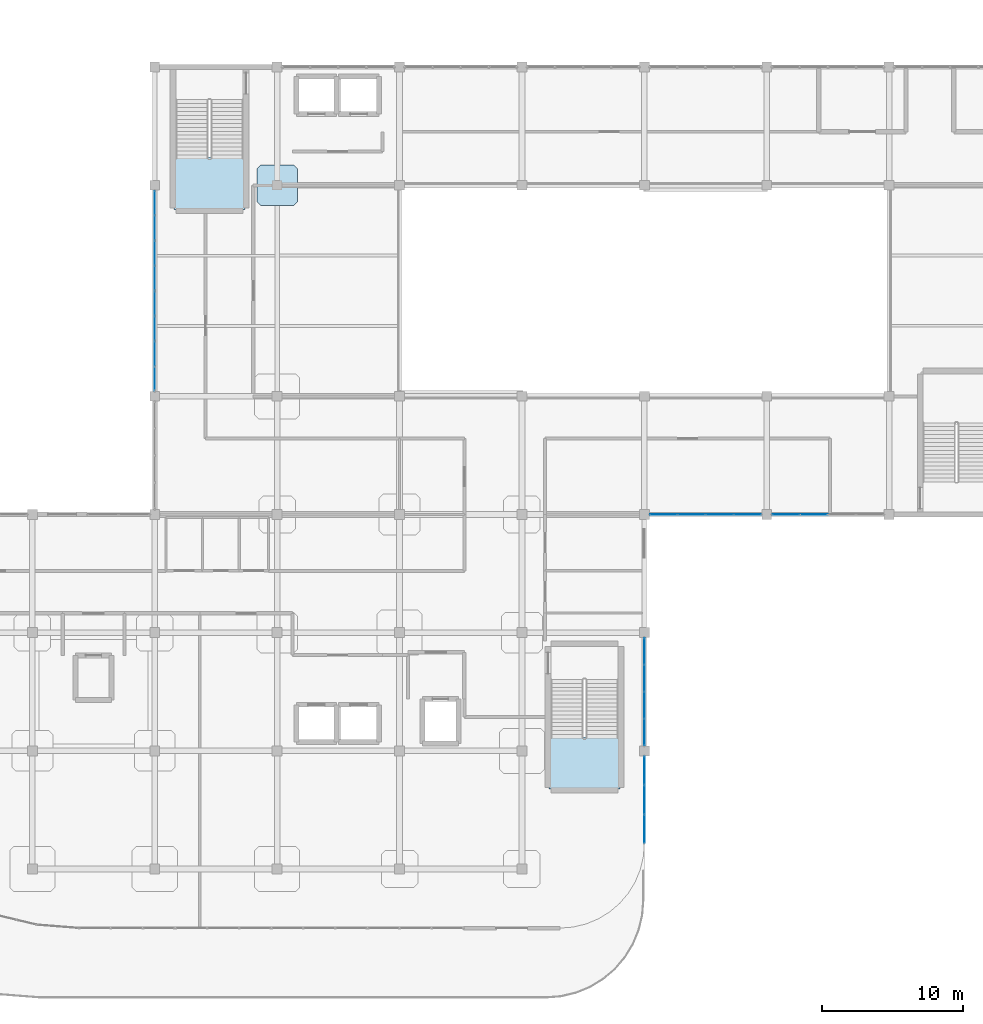
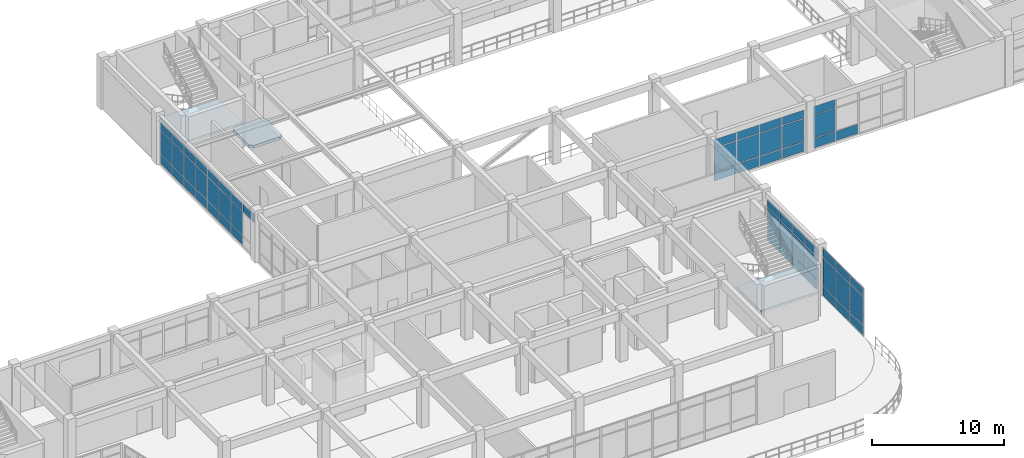
# One storey, part 54 of 76: 59 plates, 3 slabs, 8 elements without a shape of their own.
"""IFC4 building model written with IfcOpenShell, lengths in metres."""

from ifc_helpers import new_model, si_unit, derived_unit, direction, frame, origin, origin_2d, place, context, subcontext, project, spatial, polyline, rectangle, outline, extrude, material, layer, layer_set, type_object, element, aggregate, save


model = new_model("IFC4")

# Units and contexts
model_context = context("Model", 3, precision=1e-05, world=origin(), true_north=direction((0.0, 1.0)))
body_context = subcontext(model_context, "Body", "Model", "MODEL_VIEW")
ifc_project = project(units=[si_unit("LENGTHUNIT", "METRE"), si_unit("AREAUNIT", "SQUARE_METRE"), si_unit("VOLUMEUNIT", "CUBIC_METRE"), si_unit("PLANEANGLEUNIT", "RADIAN"), si_unit("MASSUNIT", "GRAM", prefix="KILO"), derived_unit("THERMALTRANSMITTANCEUNIT", [(si_unit("MASSUNIT", "GRAM", prefix="KILO"), 1), (si_unit("TIMEUNIT", "SECOND"), -3), (si_unit("THERMODYNAMICTEMPERATUREUNIT", "KELVIN"), -1)])], contexts=[model_context])

# Site, building, storey
site_placement = place(None, origin())
site = spatial("IfcSite", under=ifc_project, at=site_placement, CompositionType="ELEMENT")
building_placement = place(site_placement, origin())
building = spatial("IfcBuilding", under=site, at=building_placement, Name="Qinzheling Arcade Emporium", CompositionType="ELEMENT")
storey_placement = place(building_placement, frame((0.0, 0.0, 26.699951171875)))
storey = spatial("IfcBuildingStorey", under=building, at=storey_placement, Name="L06", CompositionType="ELEMENT", Elevation=26.699951171875)

# Slab
ifc_material_1 = material(Name="Concrete C40", Category="concrete")
ifc_layer_1 = layer(ifc_material_1, 0.27001953125, Name="Concrete C40", Category="concrete")
ifc_layer_set_1 = layer_set([ifc_layer_1], Name="Concrete C40")
slab_type_1 = type_object("IfcSlabType", Name="Column Head Drop Panel 2900x2900x270 C40", PredefinedType="USERDEFINED", material=ifc_layer_set_1)
slab_1_placement = place(storey_placement, frame((0.0, 0.0, -0.550048828125)))
element("IfcSlab", 1, at=slab_1_placement, inside=storey, type_object=slab_type_1, Name="Column Drop Panel DP-L06-6-H", ObjectType="DROP_PANEL", PredefinedType="USERDEFINED", context=body_context, shape_type="SweptSolid", body=[
    extrude(outline(polyline([(42.330078125, 63.949951171875), (44.669921875, 63.949951171875), (44.949951171875, 64.22998046875), (44.949951171875, 66.570068359375), (44.669921875, 66.85009765625), (42.330078125, 66.85009765625), (42.050048828125, 66.570068359375), (42.050048828125, 64.22998046875), (42.330078125, 63.949951171875)])), origin(), (0.0, 0.0, 1.0), 0.27001953125),
])

# Curtain wall, plates
ifc_material_2 = material(Name="Anodised aluminium and solar-control double glazing", Category="aluminium")
ifc_layer_2 = layer(ifc_material_2, 0.159912109375, Name="Anodised aluminium and solar-control double glazing", Category="aluminium")
ifc_layer_set_2 = layer_set([ifc_layer_2], Name="Anodised aluminium and solar-control double glazing")
curtain_wall_type_1 = type_object("IfcCurtainWallType", Name="Atrium Clerestory Curtain Wall", PredefinedType="NOTDEFINED", material=ifc_layer_set_2)
curtain_wall_1_placement = place(storey_placement, origin())
curtain_wall_1 = element("IfcCurtainWall", 2, at=curtain_wall_1_placement, inside=storey, type_object=curtain_wall_type_1, Name="Curtain Wall CW-L06-379", PredefinedType="NOTDEFINED")
ifc_material_3 = material(Name="Laminated solar-control double glazing", Category="glass")
ifc_layer_3 = layer(ifc_material_3, 0.02099609375, Name="Laminated solar-control double glazing", Category="glass")
ifc_layer_set_3 = layer_set([ifc_layer_3], Name="Laminated solar-control double glazing")
plate_type_1 = type_object("IfcPlateType", Name="Low-E Double Glazed Curtain Panel 21mm", PredefinedType="CURTAIN_PANEL", material=ifc_layer_set_3)
plate_1_placement = place(storey_placement, frame((76.93359375, 42.0, 0.06005859375), z_axis=(0.0, 0.0, 1.0), x_axis=(-1.0, 0.0, 0.0)))
plate_1 = element("IfcPlate", 3, at=plate_1_placement, type_object=plate_type_1, Name="CW03 panel 1.1", PredefinedType="CURTAIN_PANEL", context=body_context, shape_type="SweptSolid", body=[
    extrude(rectangle(XDim=1.908935546875, YDim=0.02099609375, at=origin_2d()), origin(), (0.0, 0.0, 1.0), 0.860107421875),
])
plate_2_placement = place(storey_placement, frame((76.93359375, 42.0, 0.97998046875), z_axis=(0.0, 0.0, 1.0), x_axis=(-1.0, 0.0, 0.0)))
plate_2 = element("IfcPlate", 4, at=plate_2_placement, type_object=plate_type_1, Name="CW03 panel 1.2", PredefinedType="CURTAIN_PANEL", context=body_context, shape_type="SweptSolid", body=[
    extrude(rectangle(XDim=1.908935546875, YDim=0.02099609375, at=origin_2d()), origin(), (0.0, 0.0, 1.0), 2.094970703125),
])
plate_3_placement = place(storey_placement, frame((76.93359375, 42.0, 3.13525390625), z_axis=(0.0, 0.0, 1.0), x_axis=(-1.0, 0.0, 0.0)))
plate_3 = element("IfcPlate", 5, at=plate_3_placement, type_object=plate_type_1, Name="CW03 panel 1.3", PredefinedType="CURTAIN_PANEL", context=body_context, shape_type="SweptSolid", body=[
    extrude(rectangle(XDim=1.908935546875, YDim=0.02099609375, at=origin_2d()), origin(), (0.0, 0.0, 1.0), 0.760009765625),
])
plate_4_placement = place(storey_placement, frame((74.949462890625, 42.0, 0.06005859375), z_axis=(0.0, 0.0, 1.0), x_axis=(-1.0, 0.0, 0.0)))
plate_4 = element("IfcPlate", 6, at=plate_4_placement, type_object=plate_type_1, Name="CW03 panel 2.1", PredefinedType="CURTAIN_PANEL", context=body_context, shape_type="SweptSolid", body=[
    extrude(rectangle(XDim=1.93896484375, YDim=0.02099609375, at=origin_2d()), origin(), (0.0, 0.0, 1.0), 0.860107421875),
])
plate_5_placement = place(storey_placement, frame((74.949462890625, 42.0, 0.97998046875), z_axis=(0.0, 0.0, 1.0), x_axis=(-1.0, 0.0, 0.0)))
plate_5 = element("IfcPlate", 7, at=plate_5_placement, type_object=plate_type_1, Name="CW03 panel 2.2", PredefinedType="CURTAIN_PANEL", context=body_context, shape_type="SweptSolid", body=[
    extrude(rectangle(XDim=1.93896484375, YDim=0.02099609375, at=origin_2d()), origin(), (0.0, 0.0, 1.0), 2.094970703125),
])
plate_6_placement = place(storey_placement, frame((74.949462890625, 42.0, 3.13525390625), z_axis=(0.0, 0.0, 1.0), x_axis=(-1.0, 0.0, 0.0)))
plate_6 = element("IfcPlate", 8, at=plate_6_placement, type_object=plate_type_1, Name="CW03 panel 2.3", PredefinedType="CURTAIN_PANEL", context=body_context, shape_type="SweptSolid", body=[
    extrude(rectangle(XDim=1.93896484375, YDim=0.02099609375, at=origin_2d()), origin(), (0.0, 0.0, 1.0), 0.760009765625),
])
plate_7_placement = place(storey_placement, frame((72.950439453125, 42.0, 0.06005859375), z_axis=(0.0, 0.0, 1.0), x_axis=(-1.0, 0.0, 0.0)))
plate_7 = element("IfcPlate", 9, at=plate_7_placement, type_object=plate_type_1, Name="CW03 panel 3.1", PredefinedType="CURTAIN_PANEL", context=body_context, shape_type="SweptSolid", body=[
    extrude(rectangle(XDim=1.93896484375, YDim=0.02099609375, at=origin_2d()), origin(), (0.0, 0.0, 1.0), 0.860107421875),
])
plate_8_placement = place(storey_placement, frame((72.950439453125, 42.0, 0.97998046875), z_axis=(0.0, 0.0, 1.0), x_axis=(-1.0, 0.0, 0.0)))
plate_8 = element("IfcPlate", 10, at=plate_8_placement, type_object=plate_type_1, Name="CW03 panel 3.2", PredefinedType="CURTAIN_PANEL", context=body_context, shape_type="SweptSolid", body=[
    extrude(rectangle(XDim=1.93896484375, YDim=0.02099609375, at=origin_2d()), origin(), (0.0, 0.0, 1.0), 2.094970703125),
])
plate_9_placement = place(storey_placement, frame((72.950439453125, 42.0, 3.13525390625), z_axis=(0.0, 0.0, 1.0), x_axis=(-1.0, 0.0, 0.0)))
plate_9 = element("IfcPlate", 11, at=plate_9_placement, type_object=plate_type_1, Name="CW03 panel 3.3", PredefinedType="CURTAIN_PANEL", context=body_context, shape_type="SweptSolid", body=[
    extrude(rectangle(XDim=1.93896484375, YDim=0.02099609375, at=origin_2d()), origin(), (0.0, 0.0, 1.0), 0.760009765625),
])
plate_10_placement = place(storey_placement, frame((70.966552734375, 42.0, 0.06005859375), z_axis=(0.0, 0.0, 1.0), x_axis=(-1.0, 0.0, 0.0)))
plate_10 = element("IfcPlate", 12, at=plate_10_placement, type_object=plate_type_1, Name="CW03 panel 4.1", PredefinedType="CURTAIN_PANEL", context=body_context, shape_type="SweptSolid", body=[
    extrude(rectangle(XDim=1.908935546875, YDim=0.02099609375, at=origin_2d()), origin(), (0.0, 0.0, 1.0), 0.860107421875),
])
plate_11_placement = place(storey_placement, frame((70.966552734375, 42.0, 0.97998046875), z_axis=(0.0, 0.0, 1.0), x_axis=(-1.0, 0.0, 0.0)))
plate_11 = element("IfcPlate", 13, at=plate_11_placement, type_object=plate_type_1, Name="CW03 panel 4.2", PredefinedType="CURTAIN_PANEL", context=body_context, shape_type="SweptSolid", body=[
    extrude(rectangle(XDim=1.908935546875, YDim=0.02099609375, at=origin_2d()), origin(), (0.0, 0.0, 1.0), 2.094970703125),
])
plate_12_placement = place(storey_placement, frame((70.966552734375, 42.0, 3.13525390625), z_axis=(0.0, 0.0, 1.0), x_axis=(-1.0, 0.0, 0.0)))
plate_12 = element("IfcPlate", 14, at=plate_12_placement, type_object=plate_type_1, Name="CW03 panel 4.3", PredefinedType="CURTAIN_PANEL", context=body_context, shape_type="SweptSolid", body=[
    extrude(rectangle(XDim=1.908935546875, YDim=0.02099609375, at=origin_2d()), origin(), (0.0, 0.0, 1.0), 0.760009765625),
])
aggregate(curtain_wall_1, [plate_1, plate_2, plate_3, plate_4, plate_5, plate_6, plate_7, plate_8, plate_9, plate_10, plate_11, plate_12])

curtain_wall_2_placement = place(storey_placement, origin())
curtain_wall_2 = element("IfcCurtainWall", 15, at=curtain_wall_2_placement, inside=storey, type_object=curtain_wall_type_1, Name="Curtain Wall CW-L06-364", PredefinedType="NOTDEFINED")
ifc_layer_4 = layer(ifc_material_3, 0.02197265625, Name="Laminated solar-control double glazing", Category="glass")
ifc_layer_set_4 = layer_set([ifc_layer_4], Name="Laminated solar-control double glazing")
plate_type_2 = type_object("IfcPlateType", Name="Low-E Double Glazed Curtain Panel 22mm", PredefinedType="CURTAIN_PANEL", material=ifc_layer_set_4)
plate_13_placement = place(storey_placement, frame((34.800048828125, 51.66015625, 3.197265625), z_axis=(0.0, 0.0, 1.0), x_axis=(0.0, 1.0, 0.0)))
plate_13 = element("IfcPlate", 16, at=plate_13_placement, type_object=plate_type_2, Name="CW03 panel 1.3", PredefinedType="CURTAIN_PANEL", context=body_context, shape_type="SweptSolid", body=[
    extrude(rectangle(XDim=1.696533203125, YDim=0.02197265625, at=origin_2d()), origin(), (0.0, 0.0, 1.0), 0.760009765625),
])
plate_14_placement = place(storey_placement, frame((34.800048828125, 53.431640625, 0.06005859375), z_axis=(0.0, 0.0, 1.0), x_axis=(0.0, 1.0, 0.0)))
plate_14 = element("IfcPlate", 17, at=plate_14_placement, type_object=plate_type_2, Name="CW03 panel 2.1", PredefinedType="CURTAIN_PANEL", context=body_context, shape_type="SweptSolid", body=[
    extrude(rectangle(XDim=1.7265625, YDim=0.02197265625, at=origin_2d()), origin(), (0.0, 0.0, 1.0), 0.860107421875),
])
plate_15_placement = place(storey_placement, frame((34.800048828125, 53.431640625, 0.97998046875), z_axis=(0.0, 0.0, 1.0), x_axis=(0.0, 1.0, 0.0)))
plate_15 = element("IfcPlate", 18, at=plate_15_placement, type_object=plate_type_2, Name="CW03 panel 2.2", PredefinedType="CURTAIN_PANEL", context=body_context, shape_type="SweptSolid", body=[
    extrude(rectangle(XDim=1.7265625, YDim=0.02197265625, at=origin_2d()), origin(), (0.0, 0.0, 1.0), 2.156982421875),
])
plate_16_placement = place(storey_placement, frame((34.800048828125, 53.431640625, 3.197265625), z_axis=(0.0, 0.0, 1.0), x_axis=(0.0, 1.0, 0.0)))
plate_16 = element("IfcPlate", 19, at=plate_16_placement, type_object=plate_type_2, Name="CW03 panel 2.3", PredefinedType="CURTAIN_PANEL", context=body_context, shape_type="SweptSolid", body=[
    extrude(rectangle(XDim=1.7265625, YDim=0.02197265625, at=origin_2d()), origin(), (0.0, 0.0, 1.0), 0.760009765625),
])
plate_17_placement = place(storey_placement, frame((34.800048828125, 55.21826171875, 0.06005859375), z_axis=(0.0, 0.0, 1.0), x_axis=(0.0, 1.0, 0.0)))
plate_17 = element("IfcPlate", 20, at=plate_17_placement, type_object=plate_type_2, Name="CW03 panel 3.1", PredefinedType="CURTAIN_PANEL", context=body_context, shape_type="SweptSolid", body=[
    extrude(rectangle(XDim=1.7265625, YDim=0.02197265625, at=origin_2d()), origin(), (0.0, 0.0, 1.0), 0.860107421875),
])
plate_18_placement = place(storey_placement, frame((34.800048828125, 55.21826171875, 0.97998046875), z_axis=(0.0, 0.0, 1.0), x_axis=(0.0, 1.0, 0.0)))
plate_18 = element("IfcPlate", 21, at=plate_18_placement, type_object=plate_type_2, Name="CW03 panel 3.2", PredefinedType="CURTAIN_PANEL", context=body_context, shape_type="SweptSolid", body=[
    extrude(rectangle(XDim=1.7265625, YDim=0.02197265625, at=origin_2d()), origin(), (0.0, 0.0, 1.0), 2.156982421875),
])
plate_19_placement = place(storey_placement, frame((34.800048828125, 55.21826171875, 3.197265625), z_axis=(0.0, 0.0, 1.0), x_axis=(0.0, 1.0, 0.0)))
plate_19 = element("IfcPlate", 22, at=plate_19_placement, type_object=plate_type_2, Name="CW03 panel 3.3", PredefinedType="CURTAIN_PANEL", context=body_context, shape_type="SweptSolid", body=[
    extrude(rectangle(XDim=1.7265625, YDim=0.02197265625, at=origin_2d()), origin(), (0.0, 0.0, 1.0), 0.760009765625),
])
plate_20_placement = place(storey_placement, frame((34.800048828125, 56.98974609375, 0.06005859375), z_axis=(0.0, 0.0, 1.0), x_axis=(0.0, 1.0, 0.0)))
plate_20 = element("IfcPlate", 23, at=plate_20_placement, type_object=plate_type_2, Name="CW03 panel 4.1", PredefinedType="CURTAIN_PANEL", context=body_context, shape_type="SweptSolid", body=[
    extrude(rectangle(XDim=1.696533203125, YDim=0.02197265625, at=origin_2d()), origin(), (0.0, 0.0, 1.0), 0.860107421875),
])
plate_21_placement = place(storey_placement, frame((34.800048828125, 56.98974609375, 0.97998046875), z_axis=(0.0, 0.0, 1.0), x_axis=(0.0, 1.0, 0.0)))
plate_21 = element("IfcPlate", 24, at=plate_21_placement, type_object=plate_type_2, Name="CW03 panel 4.2", PredefinedType="CURTAIN_PANEL", context=body_context, shape_type="SweptSolid", body=[
    extrude(rectangle(XDim=1.696533203125, YDim=0.02197265625, at=origin_2d()), origin(), (0.0, 0.0, 1.0), 2.156982421875),
])
plate_22_placement = place(storey_placement, frame((34.800048828125, 56.98974609375, 3.197265625), z_axis=(0.0, 0.0, 1.0), x_axis=(0.0, 1.0, 0.0)))
plate_22 = element("IfcPlate", 25, at=plate_22_placement, type_object=plate_type_2, Name="CW03 panel 4.3", PredefinedType="CURTAIN_PANEL", context=body_context, shape_type="SweptSolid", body=[
    extrude(rectangle(XDim=1.696533203125, YDim=0.02197265625, at=origin_2d()), origin(), (0.0, 0.0, 1.0), 0.760009765625),
])
aggregate(curtain_wall_2, [plate_13, plate_14, plate_15, plate_16, plate_17, plate_18, plate_19, plate_20, plate_21, plate_22])

ifc_layer_5 = layer(ifc_material_2, 0.159912109375, Name="Anodised aluminium and solar-control double glazing", Category="aluminium")
ifc_layer_set_5 = layer_set([ifc_layer_5], Name="Anodised aluminium and solar-control double glazing")
curtain_wall_type_2 = type_object("IfcCurtainWallType", Name="Arcade Portal Glazed Curtain Wall", PredefinedType="NOTDEFINED", material=ifc_layer_set_5)
curtain_wall_3_placement = place(storey_placement, origin())
curtain_wall_3 = element("IfcCurtainWall", 26, at=curtain_wall_3_placement, inside=storey, type_object=curtain_wall_type_2, Name="Curtain Wall CW-L06-380", PredefinedType="NOTDEFINED")
plate_23_placement = place(storey_placement, frame((69.60009765625, 32.27099609375, 0.06005859375), z_axis=(0.0, 0.0, 1.0), x_axis=(0.0, -1.0, 0.0)))
plate_23 = element("IfcPlate", 27, at=plate_23_placement, type_object=plate_type_2, Name="CW05 panel 1.1", PredefinedType="CURTAIN_PANEL", context=body_context, shape_type="SweptSolid", body=[
    extrude(rectangle(XDim=1.833984375, YDim=0.02197265625, at=origin_2d()), origin(), (0.0, 0.0, 1.0), 0.860107421875),
])
plate_24_placement = place(storey_placement, frame((69.60009765625, 32.27099609375, 0.97998046875), z_axis=(0.0, 0.0, 1.0), x_axis=(0.0, -1.0, 0.0)))
plate_24 = element("IfcPlate", 28, at=plate_24_placement, type_object=plate_type_2, Name="CW05 panel 1.2", PredefinedType="CURTAIN_PANEL", context=body_context, shape_type="SweptSolid", body=[
    extrude(rectangle(XDim=1.833984375, YDim=0.02197265625, at=origin_2d()), origin(), (0.0, 0.0, 1.0), 2.094970703125),
])
plate_25_placement = place(storey_placement, frame((69.60009765625, 32.27099609375, 3.13525390625), z_axis=(0.0, 0.0, 1.0), x_axis=(0.0, -1.0, 0.0)))
plate_25 = element("IfcPlate", 29, at=plate_25_placement, type_object=plate_type_2, Name="CW05 panel 1.3", PredefinedType="CURTAIN_PANEL", context=body_context, shape_type="SweptSolid", body=[
    extrude(rectangle(XDim=1.833984375, YDim=0.02197265625, at=origin_2d()), origin(), (0.0, 0.0, 1.0), 0.760009765625),
])
plate_26_placement = place(storey_placement, frame((69.60009765625, 30.362060546875, 0.06005859375), z_axis=(0.0, 0.0, 1.0), x_axis=(0.0, -1.0, 0.0)))
plate_26 = element("IfcPlate", 30, at=plate_26_placement, type_object=plate_type_2, Name="CW05 panel 2.1", PredefinedType="CURTAIN_PANEL", context=body_context, shape_type="SweptSolid", body=[
    extrude(rectangle(XDim=1.864013671875, YDim=0.02197265625, at=origin_2d()), origin(), (0.0, 0.0, 1.0), 0.860107421875),
])
plate_27_placement = place(storey_placement, frame((69.60009765625, 30.362060546875, 0.97998046875), z_axis=(0.0, 0.0, 1.0), x_axis=(0.0, -1.0, 0.0)))
plate_27 = element("IfcPlate", 31, at=plate_27_placement, type_object=plate_type_2, Name="CW05 panel 2.2", PredefinedType="CURTAIN_PANEL", context=body_context, shape_type="SweptSolid", body=[
    extrude(rectangle(XDim=1.864013671875, YDim=0.02197265625, at=origin_2d()), origin(), (0.0, 0.0, 1.0), 2.094970703125),
])
plate_28_placement = place(storey_placement, frame((69.60009765625, 30.362060546875, 3.13525390625), z_axis=(0.0, 0.0, 1.0), x_axis=(0.0, -1.0, 0.0)))
plate_28 = element("IfcPlate", 32, at=plate_28_placement, type_object=plate_type_2, Name="CW05 panel 2.3", PredefinedType="CURTAIN_PANEL", context=body_context, shape_type="SweptSolid", body=[
    extrude(rectangle(XDim=1.864013671875, YDim=0.02197265625, at=origin_2d()), origin(), (0.0, 0.0, 1.0), 0.760009765625),
])
plate_29_placement = place(storey_placement, frame((69.60009765625, 28.43798828125, 0.06005859375), z_axis=(0.0, 0.0, 1.0), x_axis=(0.0, -1.0, 0.0)))
plate_29 = element("IfcPlate", 33, at=plate_29_placement, type_object=plate_type_2, Name="CW05 panel 3.1", PredefinedType="CURTAIN_PANEL", context=body_context, shape_type="SweptSolid", body=[
    extrude(rectangle(XDim=1.864013671875, YDim=0.02197265625, at=origin_2d()), origin(), (0.0, 0.0, 1.0), 0.860107421875),
])
plate_30_placement = place(storey_placement, frame((69.60009765625, 28.43798828125, 0.97998046875), z_axis=(0.0, 0.0, 1.0), x_axis=(0.0, -1.0, 0.0)))
plate_30 = element("IfcPlate", 34, at=plate_30_placement, type_object=plate_type_2, Name="CW05 panel 3.2", PredefinedType="CURTAIN_PANEL", context=body_context, shape_type="SweptSolid", body=[
    extrude(rectangle(XDim=1.864013671875, YDim=0.02197265625, at=origin_2d()), origin(), (0.0, 0.0, 1.0), 2.094970703125),
])
plate_31_placement = place(storey_placement, frame((69.60009765625, 28.43798828125, 3.13525390625), z_axis=(0.0, 0.0, 1.0), x_axis=(0.0, -1.0, 0.0)))
plate_31 = element("IfcPlate", 35, at=plate_31_placement, type_object=plate_type_2, Name="CW05 panel 3.3", PredefinedType="CURTAIN_PANEL", context=body_context, shape_type="SweptSolid", body=[
    extrude(rectangle(XDim=1.864013671875, YDim=0.02197265625, at=origin_2d()), origin(), (0.0, 0.0, 1.0), 0.760009765625),
])
plate_32_placement = place(storey_placement, frame((69.60009765625, 26.529052734375, 0.06005859375), z_axis=(0.0, 0.0, 1.0), x_axis=(0.0, -1.0, 0.0)))
plate_32 = element("IfcPlate", 36, at=plate_32_placement, type_object=plate_type_2, Name="CW05 panel 4.1", PredefinedType="CURTAIN_PANEL", context=body_context, shape_type="SweptSolid", body=[
    extrude(rectangle(XDim=1.833984375, YDim=0.02197265625, at=origin_2d()), origin(), (0.0, 0.0, 1.0), 0.860107421875),
])
plate_33_placement = place(storey_placement, frame((69.60009765625, 26.529052734375, 0.97998046875), z_axis=(0.0, 0.0, 1.0), x_axis=(0.0, -1.0, 0.0)))
plate_33 = element("IfcPlate", 37, at=plate_33_placement, type_object=plate_type_2, Name="CW05 panel 4.2", PredefinedType="CURTAIN_PANEL", context=body_context, shape_type="SweptSolid", body=[
    extrude(rectangle(XDim=1.833984375, YDim=0.02197265625, at=origin_2d()), origin(), (0.0, 0.0, 1.0), 2.094970703125),
])
plate_34_placement = place(storey_placement, frame((69.60009765625, 26.529052734375, 3.13525390625), z_axis=(0.0, 0.0, 1.0), x_axis=(0.0, -1.0, 0.0)))
plate_34 = element("IfcPlate", 38, at=plate_34_placement, type_object=plate_type_2, Name="CW05 panel 4.3", PredefinedType="CURTAIN_PANEL", context=body_context, shape_type="SweptSolid", body=[
    extrude(rectangle(XDim=1.833984375, YDim=0.02197265625, at=origin_2d()), origin(), (0.0, 0.0, 1.0), 0.760009765625),
])
aggregate(curtain_wall_3, [plate_23, plate_24, plate_25, plate_26, plate_27, plate_28, plate_29, plate_30, plate_31, plate_32, plate_33, plate_34])

curtain_wall_4_placement = place(storey_placement, origin())
curtain_wall_4 = element("IfcCurtainWall", 39, at=curtain_wall_4_placement, inside=storey, type_object=curtain_wall_type_1, Name="Curtain Wall CW-L06-365", PredefinedType="NOTDEFINED")
ifc_layer_6 = layer(ifc_material_3, 0.02392578125, Name="Laminated solar-control double glazing", Category="glass")
ifc_layer_set_6 = layer_set([ifc_layer_6], Name="Laminated solar-control double glazing")
plate_type_3 = type_object("IfcPlateType", Name="Low-E Double Glazed Curtain Panel 24mm", PredefinedType="CURTAIN_PANEL", material=ifc_layer_set_6)
plate_35_placement = place(storey_placement, frame((34.800048828125, 58.810302734375, 0.06005859375), z_axis=(0.0, 0.0, 1.0), x_axis=(0.0, 1.0, 0.0)))
plate_35 = element("IfcPlate", 40, at=plate_35_placement, type_object=plate_type_3, Name="CW03 panel 1.1", PredefinedType="CURTAIN_PANEL", context=body_context, shape_type="SweptSolid", body=[
    extrude(rectangle(XDim=1.696533203125, YDim=0.02392578125, at=origin_2d()), origin(), (0.0, 0.0, 1.0), 0.860107421875),
])
plate_36_placement = place(storey_placement, frame((34.800048828125, 58.810302734375, 0.97998046875), z_axis=(0.0, 0.0, 1.0), x_axis=(0.0, 1.0, 0.0)))
plate_36 = element("IfcPlate", 41, at=plate_36_placement, type_object=plate_type_3, Name="CW03 panel 1.2", PredefinedType="CURTAIN_PANEL", context=body_context, shape_type="SweptSolid", body=[
    extrude(rectangle(XDim=1.696533203125, YDim=0.02392578125, at=origin_2d()), origin(), (0.0, 0.0, 1.0), 2.156982421875),
])
plate_37_placement = place(storey_placement, frame((34.800048828125, 58.810302734375, 3.197265625), z_axis=(0.0, 0.0, 1.0), x_axis=(0.0, 1.0, 0.0)))
plate_37 = element("IfcPlate", 42, at=plate_37_placement, type_object=plate_type_3, Name="CW03 panel 1.3", PredefinedType="CURTAIN_PANEL", context=body_context, shape_type="SweptSolid", body=[
    extrude(rectangle(XDim=1.696533203125, YDim=0.02392578125, at=origin_2d()), origin(), (0.0, 0.0, 1.0), 0.760009765625),
])
plate_38_placement = place(storey_placement, frame((34.800048828125, 60.581787109375, 0.06005859375), z_axis=(0.0, 0.0, 1.0), x_axis=(0.0, 1.0, 0.0)))
plate_38 = element("IfcPlate", 43, at=plate_38_placement, type_object=plate_type_3, Name="CW03 panel 2.1", PredefinedType="CURTAIN_PANEL", context=body_context, shape_type="SweptSolid", body=[
    extrude(rectangle(XDim=1.7265625, YDim=0.02392578125, at=origin_2d()), origin(), (0.0, 0.0, 1.0), 0.860107421875),
])
plate_39_placement = place(storey_placement, frame((34.800048828125, 60.581787109375, 0.97998046875), z_axis=(0.0, 0.0, 1.0), x_axis=(0.0, 1.0, 0.0)))
plate_39 = element("IfcPlate", 44, at=plate_39_placement, type_object=plate_type_3, Name="CW03 panel 2.2", PredefinedType="CURTAIN_PANEL", context=body_context, shape_type="SweptSolid", body=[
    extrude(rectangle(XDim=1.7265625, YDim=0.02392578125, at=origin_2d()), origin(), (0.0, 0.0, 1.0), 2.156982421875),
])
plate_40_placement = place(storey_placement, frame((34.800048828125, 60.581787109375, 3.197265625), z_axis=(0.0, 0.0, 1.0), x_axis=(0.0, 1.0, 0.0)))
plate_40 = element("IfcPlate", 45, at=plate_40_placement, type_object=plate_type_3, Name="CW03 panel 2.3", PredefinedType="CURTAIN_PANEL", context=body_context, shape_type="SweptSolid", body=[
    extrude(rectangle(XDim=1.7265625, YDim=0.02392578125, at=origin_2d()), origin(), (0.0, 0.0, 1.0), 0.760009765625),
])
plate_41_placement = place(storey_placement, frame((34.800048828125, 62.3681640625, 0.06005859375), z_axis=(0.0, 0.0, 1.0), x_axis=(0.0, 1.0, 0.0)))
plate_41 = element("IfcPlate", 46, at=plate_41_placement, type_object=plate_type_3, Name="CW03 panel 3.1", PredefinedType="CURTAIN_PANEL", context=body_context, shape_type="SweptSolid", body=[
    extrude(rectangle(XDim=1.7265625, YDim=0.02392578125, at=origin_2d()), origin(), (0.0, 0.0, 1.0), 0.860107421875),
])
plate_42_placement = place(storey_placement, frame((34.800048828125, 62.3681640625, 0.97998046875), z_axis=(0.0, 0.0, 1.0), x_axis=(0.0, 1.0, 0.0)))
plate_42 = element("IfcPlate", 47, at=plate_42_placement, type_object=plate_type_3, Name="CW03 panel 3.2", PredefinedType="CURTAIN_PANEL", context=body_context, shape_type="SweptSolid", body=[
    extrude(rectangle(XDim=1.7265625, YDim=0.02392578125, at=origin_2d()), origin(), (0.0, 0.0, 1.0), 2.156982421875),
])
plate_43_placement = place(storey_placement, frame((34.800048828125, 62.3681640625, 3.197265625), z_axis=(0.0, 0.0, 1.0), x_axis=(0.0, 1.0, 0.0)))
plate_43 = element("IfcPlate", 48, at=plate_43_placement, type_object=plate_type_3, Name="CW03 panel 3.3", PredefinedType="CURTAIN_PANEL", context=body_context, shape_type="SweptSolid", body=[
    extrude(rectangle(XDim=1.7265625, YDim=0.02392578125, at=origin_2d()), origin(), (0.0, 0.0, 1.0), 0.760009765625),
])
plate_44_placement = place(storey_placement, frame((34.800048828125, 64.1396484375, 0.06005859375), z_axis=(0.0, 0.0, 1.0), x_axis=(0.0, 1.0, 0.0)))
plate_44 = element("IfcPlate", 49, at=plate_44_placement, type_object=plate_type_3, Name="CW03 panel 4.1", PredefinedType="CURTAIN_PANEL", context=body_context, shape_type="SweptSolid", body=[
    extrude(rectangle(XDim=1.696533203125, YDim=0.02392578125, at=origin_2d()), origin(), (0.0, 0.0, 1.0), 0.860107421875),
])
plate_45_placement = place(storey_placement, frame((34.800048828125, 64.1396484375, 0.97998046875), z_axis=(0.0, 0.0, 1.0), x_axis=(0.0, 1.0, 0.0)))
plate_45 = element("IfcPlate", 50, at=plate_45_placement, type_object=plate_type_3, Name="CW03 panel 4.2", PredefinedType="CURTAIN_PANEL", context=body_context, shape_type="SweptSolid", body=[
    extrude(rectangle(XDim=1.696533203125, YDim=0.02392578125, at=origin_2d()), origin(), (0.0, 0.0, 1.0), 2.156982421875),
])
plate_46_placement = place(storey_placement, frame((34.800048828125, 64.1396484375, 3.197265625), z_axis=(0.0, 0.0, 1.0), x_axis=(0.0, 1.0, 0.0)))
plate_46 = element("IfcPlate", 51, at=plate_46_placement, type_object=plate_type_3, Name="CW03 panel 4.3", PredefinedType="CURTAIN_PANEL", context=body_context, shape_type="SweptSolid", body=[
    extrude(rectangle(XDim=1.696533203125, YDim=0.02392578125, at=origin_2d()), origin(), (0.0, 0.0, 1.0), 0.760009765625),
])
aggregate(curtain_wall_4, [plate_35, plate_36, plate_37, plate_38, plate_39, plate_40, plate_41, plate_42, plate_43, plate_44, plate_45, plate_46])

curtain_wall_5_placement = place(storey_placement, origin())
curtain_wall_5 = element("IfcCurtainWall", 52, at=curtain_wall_5_placement, inside=storey, type_object=curtain_wall_type_2, Name="Curtain Wall CW-L06-381", PredefinedType="NOTDEFINED")
plate_47_placement = place(storey_placement, frame((69.60009765625, 23.791748046875, 0.06005859375), z_axis=(0.0, 0.0, 1.0), x_axis=(0.0, -1.0, 0.0)))
plate_47 = element("IfcPlate", 53, at=plate_47_placement, type_object=plate_type_3, Name="CW05 panel 1.1", PredefinedType="CURTAIN_PANEL", context=body_context, shape_type="SweptSolid", body=[
    extrude(rectangle(XDim=1.99267578125, YDim=0.02392578125, at=origin_2d()), origin(), (0.0, 0.0, 1.0), 0.860107421875),
])
plate_48_placement = place(storey_placement, frame((69.60009765625, 23.791748046875, 0.980224609375), z_axis=(0.0, 0.0, 1.0), x_axis=(0.0, -1.0, 0.0)))
plate_48 = element("IfcPlate", 54, at=plate_48_placement, type_object=plate_type_3, Name="CW05 panel 1.2", PredefinedType="CURTAIN_PANEL", context=body_context, shape_type="SweptSolid", body=[
    extrude(rectangle(XDim=1.99267578125, YDim=0.02392578125, at=origin_2d()), origin(), (0.0, 0.0, 1.0), 2.6298828125),
])
plate_49_placement = place(storey_placement, frame((69.60009765625, 23.791748046875, 3.669921875), z_axis=(0.0, 0.0, 1.0), x_axis=(0.0, -1.0, 0.0)))
plate_49 = element("IfcPlate", 55, at=plate_49_placement, type_object=plate_type_3, Name="CW05 panel 1.3", PredefinedType="CURTAIN_PANEL", context=body_context, shape_type="SweptSolid", body=[
    extrude(rectangle(XDim=1.99267578125, YDim=0.02392578125, at=origin_2d()), origin(), (0.0, 0.0, 1.0), 0.760009765625),
])
plate_50_placement = place(storey_placement, frame((69.60009765625, 21.72412109375, 0.06005859375), z_axis=(0.0, 0.0, 1.0), x_axis=(0.0, -1.0, 0.0)))
plate_50 = element("IfcPlate", 56, at=plate_50_placement, type_object=plate_type_3, Name="CW05 panel 2.1", PredefinedType="CURTAIN_PANEL", context=body_context, shape_type="SweptSolid", body=[
    extrude(rectangle(XDim=2.022705078125, YDim=0.02392578125, at=origin_2d()), origin(), (0.0, 0.0, 1.0), 0.860107421875),
])
plate_51_placement = place(storey_placement, frame((69.60009765625, 21.72412109375, 0.980224609375), z_axis=(0.0, 0.0, 1.0), x_axis=(0.0, -1.0, 0.0)))
plate_51 = element("IfcPlate", 57, at=plate_51_placement, type_object=plate_type_3, Name="CW05 panel 2.2", PredefinedType="CURTAIN_PANEL", context=body_context, shape_type="SweptSolid", body=[
    extrude(rectangle(XDim=2.022705078125, YDim=0.02392578125, at=origin_2d()), origin(), (0.0, 0.0, 1.0), 2.6298828125),
])
plate_52_placement = place(storey_placement, frame((69.60009765625, 21.72412109375, 3.669921875), z_axis=(0.0, 0.0, 1.0), x_axis=(0.0, -1.0, 0.0)))
plate_52 = element("IfcPlate", 58, at=plate_52_placement, type_object=plate_type_3, Name="CW05 panel 2.3", PredefinedType="CURTAIN_PANEL", context=body_context, shape_type="SweptSolid", body=[
    extrude(rectangle(XDim=2.022705078125, YDim=0.02392578125, at=origin_2d()), origin(), (0.0, 0.0, 1.0), 0.760009765625),
])
plate_53_placement = place(storey_placement, frame((69.60009765625, 19.65625, 0.06005859375), z_axis=(0.0, 0.0, 1.0), x_axis=(0.0, -1.0, 0.0)))
plate_53 = element("IfcPlate", 59, at=plate_53_placement, type_object=plate_type_3, Name="CW05 panel 3.1", PredefinedType="CURTAIN_PANEL", context=body_context, shape_type="SweptSolid", body=[
    extrude(rectangle(XDim=1.99267578125, YDim=0.02392578125, at=origin_2d()), origin(), (0.0, 0.0, 1.0), 0.860107421875),
])
plate_54_placement = place(storey_placement, frame((69.60009765625, 19.65625, 0.980224609375), z_axis=(0.0, 0.0, 1.0), x_axis=(0.0, -1.0, 0.0)))
plate_54 = element("IfcPlate", 60, at=plate_54_placement, type_object=plate_type_3, Name="CW05 panel 3.2", PredefinedType="CURTAIN_PANEL", context=body_context, shape_type="SweptSolid", body=[
    extrude(rectangle(XDim=1.99267578125, YDim=0.02392578125, at=origin_2d()), origin(), (0.0, 0.0, 1.0), 2.6298828125),
])
plate_55_placement = place(storey_placement, frame((69.60009765625, 19.65625, 3.669921875), z_axis=(0.0, 0.0, 1.0), x_axis=(0.0, -1.0, 0.0)))
plate_55 = element("IfcPlate", 61, at=plate_55_placement, type_object=plate_type_3, Name="CW05 panel 3.3", PredefinedType="CURTAIN_PANEL", context=body_context, shape_type="SweptSolid", body=[
    extrude(rectangle(XDim=1.99267578125, YDim=0.02392578125, at=origin_2d()), origin(), (0.0, 0.0, 1.0), 0.760009765625),
])
aggregate(curtain_wall_5, [plate_47, plate_48, plate_49, plate_50, plate_51, plate_52, plate_53, plate_54, plate_55])

curtain_wall_6_placement = place(storey_placement, origin())
curtain_wall_6 = element("IfcCurtainWall", 62, at=curtain_wall_6_placement, inside=storey, type_object=curtain_wall_type_1, Name="Curtain Wall CW-L06-378", PredefinedType="NOTDEFINED")
ifc_layer_7 = layer(ifc_material_3, 0.0419921875, Name="Laminated solar-control double glazing", Category="glass")
ifc_layer_set_7 = layer_set([ifc_layer_7], Name="Laminated solar-control double glazing")
plate_type_4 = type_object("IfcPlateType", Name="Low-E Double Glazed Curtain Panel 42mm", PredefinedType="CURTAIN_PANEL", material=ifc_layer_set_7)
plate_56_placement = place(storey_placement, frame((81.650390625, 42.0, 0.06005859375), z_axis=(0.0, 0.0, 1.0), x_axis=(-1.0, 0.0, 0.0)))
plate_56 = element("IfcPlate", 63, at=plate_56_placement, type_object=plate_type_4, Name="CW03 panel 3.1", PredefinedType="CURTAIN_PANEL", context=body_context, shape_type="SweptSolid", body=[
    extrude(rectangle(XDim=1.93896484375, YDim=0.0419921875, at=origin_2d()), origin(), (0.0, 0.0, 1.0), 0.860107421875),
])
plate_57_placement = place(storey_placement, frame((79.66650390625, 42.0, 0.06005859375), z_axis=(0.0, 0.0, 1.0), x_axis=(-1.0, 0.0, 0.0)))
plate_57 = element("IfcPlate", 64, at=plate_57_placement, type_object=plate_type_4, Name="CW03 panel 4.1", PredefinedType="CURTAIN_PANEL", context=body_context, shape_type="SweptSolid", body=[
    extrude(rectangle(XDim=1.908935546875, YDim=0.0419921875, at=origin_2d()), origin(), (0.0, 0.0, 1.0), 0.860107421875),
])
plate_58_placement = place(storey_placement, frame((79.66650390625, 42.0, 0.97998046875), z_axis=(0.0, 0.0, 1.0), x_axis=(-1.0, 0.0, 0.0)))
plate_58 = element("IfcPlate", 65, at=plate_58_placement, type_object=plate_type_4, Name="CW03 panel 4.2", PredefinedType="CURTAIN_PANEL", context=body_context, shape_type="SweptSolid", body=[
    extrude(rectangle(XDim=1.908935546875, YDim=0.0419921875, at=origin_2d()), origin(), (0.0, 0.0, 1.0), 2.094970703125),
])
plate_59_placement = place(storey_placement, frame((79.66650390625, 42.0, 3.13525390625), z_axis=(0.0, 0.0, 1.0), x_axis=(-1.0, 0.0, 0.0)))
plate_59 = element("IfcPlate", 66, at=plate_59_placement, type_object=plate_type_4, Name="CW03 panel 4.3", PredefinedType="CURTAIN_PANEL", context=body_context, shape_type="SweptSolid", body=[
    extrude(rectangle(XDim=1.908935546875, YDim=0.0419921875, at=origin_2d()), origin(), (0.0, 0.0, 1.0), 0.760009765625),
])
aggregate(curtain_wall_6, [plate_56, plate_57, plate_58, plate_59])

# Stair, slab
stair_type = type_object("IfcStairType", Name="Cast-in-Situ Dog-Leg Escape Stair H4800", PredefinedType="HALF_TURN_STAIR", material=ifc_material_1)
stair_1_placement = place(storey_placement, origin())
stair_1 = element("IfcStair", 67, at=stair_1_placement, inside=storey, type_object=stair_type, Name="L06 ST01", PredefinedType="HALF_TURN_STAIR")
ifc_layer_8 = layer(ifc_material_1, 0.199951171875, Name="Concrete C40", Category="concrete")
ifc_layer_set_8 = layer_set([ifc_layer_8], Name="Concrete C40")
slab_type_2 = type_object("IfcSlabType", Name="Stair Half-Turn Landing Slab 200 C40", PredefinedType="LANDING", material=ifc_layer_set_8)
slab_2_placement = place(storey_placement, frame((0.0, 0.0, 2.199951171875)))
slab_2 = element("IfcSlab", 68, at=slab_2_placement, type_object=slab_type_2, Name="ST01 landing 1", PredefinedType="LANDING", context=body_context, shape_type="SweptSolid", body=[
    extrude(outline(polyline([(62.830078125, 26.199951171875), (67.860107421875, 26.199951171875), (67.860107421875, 22.47998046875), (62.830078125, 22.47998046875), (62.830078125, 26.199951171875)])), origin(), (0.0, 0.0, 1.0), 0.2001953125),
])
aggregate(stair_1, [slab_2])

stair_2_placement = place(storey_placement, origin())
stair_2 = element("IfcStair", 69, at=stair_2_placement, inside=storey, type_object=stair_type, Name="L06 ST03", PredefinedType="HALF_TURN_STAIR")
slab_3_placement = place(storey_placement, frame((0.0, 0.0, 2.199951171875)))
slab_3 = element("IfcSlab", 70, at=slab_3_placement, type_object=slab_type_2, Name="ST03 landing 1", PredefinedType="LANDING", context=body_context, shape_type="SweptSolid", body=[
    extrude(outline(polyline([(36.179931640625, 67.39990234375), (41.2099609375, 67.39990234375), (41.2099609375, 63.679931640625), (36.179931640625, 63.679931640625), (36.179931640625, 67.39990234375)])), origin(), (0.0, 0.0, 1.0), 0.2001953125),
])
aggregate(stair_2, [slab_3])

save(model, "model.ifc")
